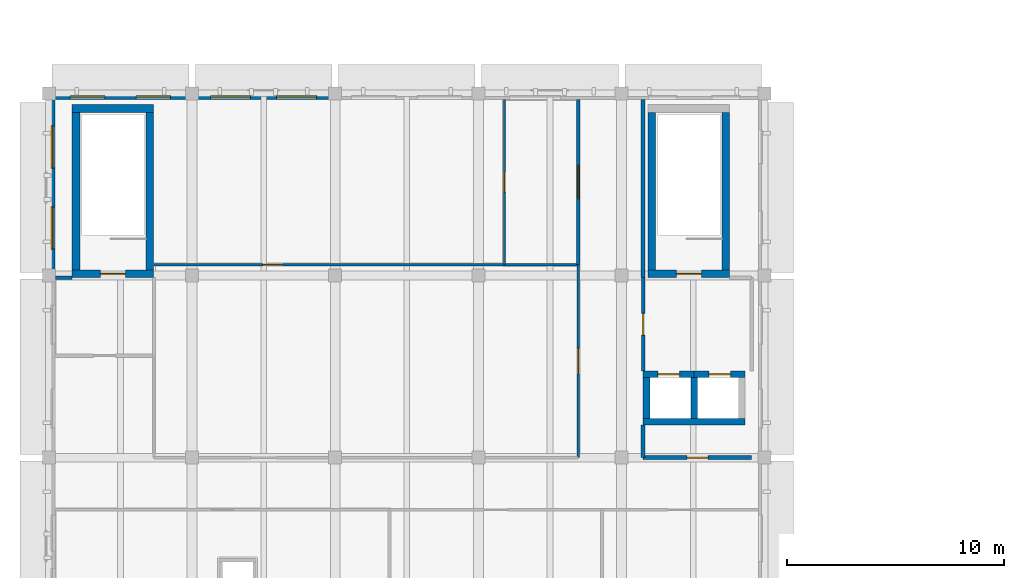
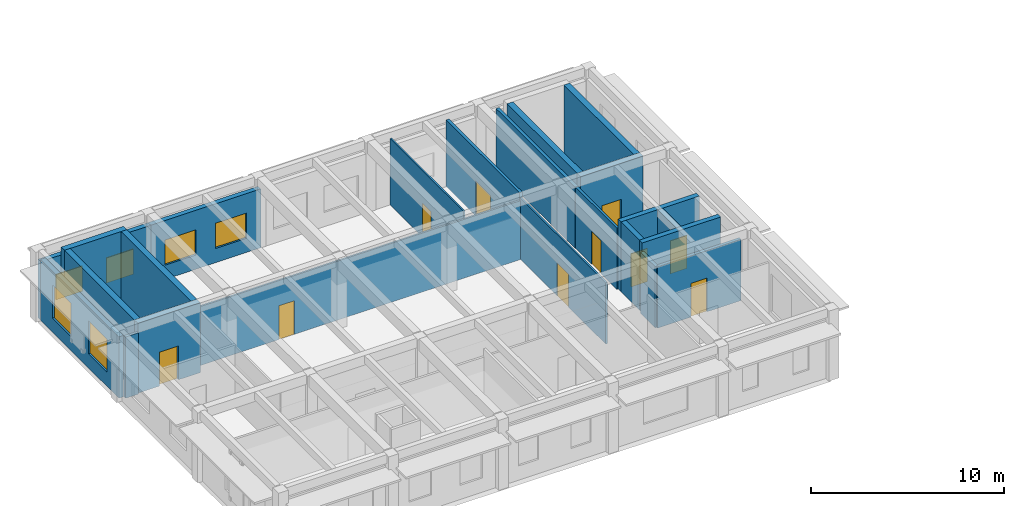
# One storey, part 7 of 20: 24 walls, 10 doors, 6 windows, 16 openings.
"""IFC4 building model written with IfcOpenShell, lengths in metres."""

from ifc_helpers import new_model, si_unit, direction, frame, frame_2d, origin, place, context, subcontext, project, spatial, rectangle, extrude, material, layer, layer_set, type_object, element, fill, save


model = new_model("IFC4")

# Units and contexts
model_context = context("Model", 3, precision=1e-05, world=origin(), true_north=direction((0.0, 1.0)))
body_context = subcontext(model_context, "Body", "Model", "MODEL_VIEW")
ifc_project = project(units=[si_unit("LENGTHUNIT", "METRE"), si_unit("AREAUNIT", "SQUARE_METRE"), si_unit("VOLUMEUNIT", "CUBIC_METRE"), si_unit("PLANEANGLEUNIT", "RADIAN"), si_unit("MASSUNIT", "GRAM", prefix="KILO")], contexts=[model_context])

# Site, building, storey
site_placement = place(None, origin())
site = spatial("IfcSite", under=ifc_project, at=site_placement, CompositionType="ELEMENT")
building_placement = place(site_placement, origin())
building = spatial("IfcBuilding", under=site, at=building_placement, Name="Kolvaren Faculty of Natural Sciences", CompositionType="ELEMENT")
storey_placement = place(building_placement, frame((0.0, 0.0, 24.0)))
storey = spatial("IfcBuildingStorey", under=building, at=storey_placement, Name="L05", CompositionType="ELEMENT", Elevation=24.0)

# Wall, opening, door
ifc_material_1 = material(Name="Concrete C40/50", Category="concrete")
ifc_layer_1 = layer(ifc_material_1, 0.35009765625)
ifc_layer_set_1 = layer_set([ifc_layer_1], Name="Concrete C40/50")
wall_type_1 = type_object("IfcWallType", Name="CoreShearWall_350", PredefinedType="SHEAR", material=ifc_layer_set_1)
wall_1_placement = place(storey_placement, frame((34.425048828125, 33.875, 0.0), z_axis=(0.0, 0.0, 1.0), x_axis=(1.0, 0.0, 0.0)))
wall_1 = element("IfcWall", 1, at=wall_1_placement, inside=storey, type_object=wall_type_1, Name="L05 CORE-C4 stair shear wall S", PredefinedType="SHEAR", context=body_context, shape_type="SweptSolid", body=[
    extrude(rectangle(XDim=3.75, YDim=0.35009765625, at=frame_2d((1.875, 0.0))), origin(), (0.0, 0.0, 1.0), 4.43994140625),
])
opening_1_placement = place(wall_1_placement, frame((1.300048828125, 0.0, 0.0)))
opening_1 = element("IfcOpeningElement", 2, at=opening_1_placement, cuts=wall_1, Name="Opening FD90", PredefinedType="OPENING", context=body_context, shape_type="SweptSolid", body=[
    extrude(rectangle(XDim=1.14990234375, YDim=2.14990234375, at=frame_2d((0.574951171875, 1.074951171875))), frame((0.0, 0.18505859375, 0.0), z_axis=(0.0, -1.0, 0.0), x_axis=(1.0, 0.0, 0.0)), (0.0, 0.0, 1.0), 0.3701171875),
])
ifc_material_2 = material(Name="Fire-rated solid-core hardwood door leaf in steel frame", Category="steel")
door_type_1 = type_object("IfcDoorType", Name="StairCoreFireDoor_1150x2150", OperationType="NOTDEFINED", PredefinedType="DOOR", material=ifc_material_2)
door_1_placement = place(opening_1_placement, origin())
door_1 = element("IfcDoor", 3, at=door_1_placement, inside=storey, type_object=door_type_1, Name="D-ST-ST-4-L05", OperationType="SINGLE_SWING_LEFT", OverallHeight=2.14990234375, OverallWidth=1.14990234375, PredefinedType="DOOR", context=body_context, shape_type="SweptSolid", body=[
    extrude(rectangle(XDim=1.14990234375, YDim=2.14990234375, at=frame_2d((0.574951171875, 1.074951171875))), frame((0.0, 0.02490234375, 0.0), z_axis=(0.0, -1.0, 0.0), x_axis=(1.0, 0.0, 0.0)), (0.0, 0.0, 1.0), 0.050048828125),
])
fill(opening_1, door_1)

# Walls
for number, where, z_axis, x_axis, name in (
    (4, (34.60009765625, 34.050048828125, 0.0), (0.0, 0.0, 1.0), (0.0, 1.0, 0.0), "L05 CORE-C4 stair shear wall W"),
    (5, (38.0, 34.050048828125, 0.0), (0.0, 0.0, 1.0), (0.0, 1.0, 0.0), "L05 CORE-C4 stair shear wall E"),
):
    element("IfcWall", number, at=place(storey_placement, frame(where, z_axis=z_axis, x_axis=x_axis)), inside=storey, type_object=wall_type_1, Name=name, PredefinedType="SHEAR", context=body_context, shape_type="SweptSolid", body=[
        extrude(rectangle(XDim=7.27490234375, YDim=0.35009765625, at=frame_2d((3.637451171875, 0.0))), origin(), (0.0, 0.0, 1.0), 4.43994140625),
    ])

# Wall, opening, door
wall_2_placement = place(storey_placement, frame((7.875, 33.875, 0.0), z_axis=(0.0, 0.0, 1.0), x_axis=(1.0, 0.0, 0.0)))
wall_2 = element("IfcWall", 6, at=wall_2_placement, inside=storey, type_object=wall_type_1, Name="L05 CORE-C8 stair shear wall S", PredefinedType="SHEAR", context=body_context, shape_type="SweptSolid", body=[
    extrude(rectangle(XDim=3.75, YDim=0.35009765625, at=frame_2d((1.875, 0.0))), origin(), (0.0, 0.0, 1.0), 4.43994140625),
])
opening_2_placement = place(wall_2_placement, frame((1.300048828125, 0.0, 0.0)))
opening_2 = element("IfcOpeningElement", 7, at=opening_2_placement, cuts=wall_2, Name="Opening FD90", PredefinedType="OPENING", context=body_context, shape_type="SweptSolid", body=[
    extrude(rectangle(XDim=1.14990234375, YDim=2.14990234375, at=frame_2d((0.574951171875, 1.074951171875))), frame((0.0, 0.18505859375, 0.0), z_axis=(0.0, -1.0, 0.0), x_axis=(1.0, 0.0, 0.0)), (0.0, 0.0, 1.0), 0.3701171875),
])
door_2_placement = place(opening_2_placement, origin())
door_2 = element("IfcDoor", 8, at=door_2_placement, inside=storey, type_object=door_type_1, Name="D-ST-ST-8-L05", OperationType="SINGLE_SWING_RIGHT", OverallHeight=2.14990234375, OverallWidth=1.14990234375, PredefinedType="DOOR", context=body_context, shape_type="SweptSolid", body=[
    extrude(rectangle(XDim=1.14990234375, YDim=2.14990234375, at=frame_2d((0.574951171875, 1.074951171875))), frame((0.0, 0.02490234375, 0.0), z_axis=(0.0, -1.0, 0.0), x_axis=(1.0, 0.0, 0.0)), (0.0, 0.0, 1.0), 0.050048828125),
])
fill(opening_2, door_2)

# Walls
wall_3_placement = place(storey_placement, frame((7.875, 41.5, 0.0), z_axis=(0.0, 0.0, 1.0), x_axis=(1.0, 0.0, 0.0)))
element("IfcWall", 9, at=wall_3_placement, inside=storey, type_object=wall_type_1, Name="L05 CORE-C8 stair shear wall N", PredefinedType="SHEAR", context=body_context, shape_type="SweptSolid", body=[
    extrude(rectangle(XDim=3.75, YDim=0.35009765625, at=frame_2d((1.875, 0.0))), origin(), (0.0, 0.0, 1.0), 4.43994140625),
])
for number, where, z_axis, x_axis, name in (
    (10, (8.050048828125, 34.050048828125, 0.0), (0.0, 0.0, 1.0), (0.0, 1.0, 0.0), "L05 CORE-C8 stair shear wall W"),
    (11, (11.449951171875, 34.050048828125, 0.0), (0.0, 0.0, 1.0), (0.0, 1.0, 0.0), "L05 CORE-C8 stair shear wall E"),
):
    element("IfcWall", number, at=place(storey_placement, frame(where, z_axis=z_axis, x_axis=x_axis)), inside=storey, type_object=wall_type_1, Name=name, PredefinedType="SHEAR", context=body_context, shape_type="SweptSolid", body=[
        extrude(rectangle(XDim=7.27490234375, YDim=0.35009765625, at=frame_2d((3.637451171875, 0.0))), origin(), (0.0, 0.0, 1.0), 4.43994140625),
    ])

# Wall, opening, door
ifc_material_3 = material(Name="Acoustic mineral-wool insulated gypsum partition")
ifc_layer_2 = layer(ifc_material_3, 0.094970703125)
ifc_layer_set_2 = layer_set([ifc_layer_2], Name="Acoustic mineral-wool insulated gypsum partition")
wall_type_2 = type_object("IfcWallType", Name="CubiclePartition_095", PredefinedType="PARTITIONING", material=ifc_layer_set_2)
wall_4_placement = place(storey_placement, frame((27.800048828125, 41.91796875, 0.0), z_axis=(0.0, 0.0, 1.0), x_axis=(0.0, -1.0, 0.0)))
wall_4 = element("IfcWall", 12, at=wall_4_placement, inside=storey, type_object=wall_type_2, Name="L05 interior partition PW-095", PredefinedType="PARTITIONING", context=body_context, shape_type="SweptSolid", body=[
    extrude(rectangle(XDim=7.617919921875, YDim=0.094970703125, at=frame_2d((3.80908203125, 0.0))), origin(), (0.0, 0.0, 1.0), 4.215087890625),
])
opening_3_placement = place(wall_4_placement, frame((3.34912109375, 0.0, 0.0)))
opening_3 = element("IfcOpeningElement", 13, at=opening_3_placement, cuts=wall_4, Name="Opening ID-19", PredefinedType="OPENING", context=body_context, shape_type="SweptSolid", body=[
    extrude(rectangle(XDim=0.919921875, YDim=2.139892578125, at=frame_2d((0.4599609375, 1.06982421875))), frame((0.0, 0.057373046875, 0.0), z_axis=(0.0, -1.0, 0.0), x_axis=(1.0, 0.0, 0.0)), (0.0, 0.0, 1.0), 0.114990234375),
])
ifc_material_4 = material(Name="Solid-core hardwood veneer door leaf in steel frame", Category="steel")
door_type_2 = type_object("IfcDoorType", Name="InteriorRoomDoor_920x2140", OperationType="NOTDEFINED", PredefinedType="DOOR", material=ifc_material_4)
door_3_placement = place(opening_3_placement, origin())
door_3 = element("IfcDoor", 14, at=door_3_placement, inside=storey, type_object=door_type_2, Name="D-L05-0312", OperationType="SINGLE_SWING_LEFT", OverallHeight=2.139892578125, OverallWidth=0.919921875, PredefinedType="DOOR", context=body_context, shape_type="SweptSolid", body=[
    extrude(rectangle(XDim=0.919921875, YDim=2.139892578125, at=frame_2d((0.4599609375, 1.06982421875))), frame((0.0, 0.02490234375, 0.0), z_axis=(0.0, -1.0, 0.0), x_axis=(1.0, 0.0, 0.0)), (0.0, 0.0, 1.0), 0.050048828125),
])
fill(opening_3, door_3)

# Wall, openings, windows
ifc_material_5 = material(Name="Precast concrete C35/45", Category="concrete")
ifc_layer_3 = layer(ifc_material_5, 0.280029296875)
ifc_layer_set_3 = layer_set([ifc_layer_3], Name="Precast concrete C35/45")
wall_type_3 = type_object("IfcWallType", Name="ExteriorPrecastWall_280", PredefinedType="STANDARD", material=ifc_layer_set_3)
wall_5_placement = place(storey_placement, frame((6.800048828125, 42.06005859375, 0.0), z_axis=(0.0, 0.0, 1.0), x_axis=(1.0, 0.0, 0.0)))
wall_5 = element("IfcWall", 15, at=wall_5_placement, inside=storey, type_object=wall_type_3, Name="L05 exterior masonry wall EW-280 (664)", PredefinedType="STANDARD", context=body_context, shape_type="SweptSolid", body=[
    extrude(rectangle(XDim=6.599853515625, YDim=0.280029296875, at=frame_2d((3.2998046875, 0.0))), origin(), (0.0, 0.0, 1.0), 3.735107421875),
])
opening_4_placement = place(wall_5_placement, frame((0.98193359375, 0.0, 0.89990234375)))
opening_4 = element("IfcOpeningElement", 16, at=opening_4_placement, cuts=wall_5, Name="Opening WIN-15", PredefinedType="OPENING", context=body_context, shape_type="SweptSolid", body=[
    extrude(rectangle(XDim=1.60009765625, YDim=1.60009765625, at=frame_2d((0.800048828125, 0.800048828125))), frame((0.0, 0.14990234375, 0.0), z_axis=(0.0, -1.0, 0.0), x_axis=(1.0, 0.0, 0.0)), (0.0, 0.0, 1.0), 0.300048828125),
])
opening_5_placement = place(wall_5_placement, frame((4.01806640625, 0.0, 0.89990234375)))
opening_5 = element("IfcOpeningElement", 17, at=opening_5_placement, cuts=wall_5, Name="Opening WIN-15", PredefinedType="OPENING", context=body_context, shape_type="SweptSolid", body=[
    extrude(rectangle(XDim=1.60009765625, YDim=1.60009765625, at=frame_2d((0.800048828125, 0.800048828125))), frame((0.0, 0.14990234375, 0.0), z_axis=(0.0, -1.0, 0.0), x_axis=(1.0, 0.0, 0.0)), (0.0, 0.0, 1.0), 0.300048828125),
])
ifc_material_6 = material(Name="Double low-E solar control insulated glazing", Category="glass")
window_type_1 = type_object("IfcWindowType", Name="AluWindow_WIN15_1600x1600", PartitioningType="SINGLE_PANEL", PredefinedType="WINDOW", material=ifc_material_6)
window_1_placement = place(opening_4_placement, origin())
window_1 = element("IfcWindow", 18, at=window_1_placement, inside=storey, type_object=window_type_1, Name="WIN-L05-0479", OverallHeight=1.60009765625, OverallWidth=1.60009765625, PartitioningType="SINGLE_PANEL", PredefinedType="WINDOW", context=body_context, shape_type="SweptSolid", body=[
    extrude(rectangle(XDim=1.60009765625, YDim=1.60009765625, at=frame_2d((0.800048828125, 0.800048828125))), frame((0.0, 0.030029296875, 0.0), z_axis=(0.0, -1.0, 0.0), x_axis=(1.0, 0.0, 0.0)), (0.0, 0.0, 1.0), 0.06005859375),
])
fill(opening_4, window_1)
window_2_placement = place(opening_5_placement, origin())
window_2 = element("IfcWindow", 19, at=window_2_placement, inside=storey, type_object=window_type_1, Name="WIN-L05-0480", OverallHeight=1.60009765625, OverallWidth=1.60009765625, PartitioningType="SINGLE_PANEL", PredefinedType="WINDOW", context=body_context, shape_type="SweptSolid", body=[
    extrude(rectangle(XDim=1.60009765625, YDim=1.60009765625, at=frame_2d((0.800048828125, 0.800048828125))), frame((0.0, 0.030029296875, 0.0), z_axis=(0.0, -1.0, 0.0), x_axis=(1.0, 0.0, 0.0)), (0.0, 0.0, 1.0), 0.06005859375),
])
fill(opening_5, window_2)

wall_6_placement = place(storey_placement, frame((13.39990234375, 42.06005859375, 0.0), z_axis=(0.0, 0.0, 1.0), x_axis=(1.0, 0.0, 0.0)))
wall_6 = element("IfcWall", 20, at=wall_6_placement, inside=storey, type_object=wall_type_3, Name="L05 exterior masonry wall EW-280 (665)", PredefinedType="STANDARD", context=body_context, shape_type="SweptSolid", body=[
    extrude(rectangle(XDim=6.60009765625, YDim=0.280029296875, at=frame_2d((3.300048828125, 0.0))), origin(), (0.0, 0.0, 1.0), 3.735107421875),
])
opening_6_placement = place(wall_6_placement, frame((0.85693359375, 0.0, 0.89990234375)))
opening_6 = element("IfcOpeningElement", 21, at=opening_6_placement, cuts=wall_6, Name="Opening WIN-16", PredefinedType="OPENING", context=body_context, shape_type="SweptSolid", body=[
    extrude(rectangle(XDim=1.85009765625, YDim=1.60009765625, at=frame_2d((0.925048828125, 0.800048828125))), frame((0.0, 0.14990234375, 0.0), z_axis=(0.0, -1.0, 0.0), x_axis=(1.0, 0.0, 0.0)), (0.0, 0.0, 1.0), 0.300048828125),
])
opening_7_placement = place(wall_6_placement, frame((3.89306640625, 0.0, 0.89990234375)))
opening_7 = element("IfcOpeningElement", 22, at=opening_7_placement, cuts=wall_6, Name="Opening WIN-16", PredefinedType="OPENING", context=body_context, shape_type="SweptSolid", body=[
    extrude(rectangle(XDim=1.85009765625, YDim=1.60009765625, at=frame_2d((0.925048828125, 0.800048828125))), frame((0.0, 0.14990234375, 0.0), z_axis=(0.0, -1.0, 0.0), x_axis=(1.0, 0.0, 0.0)), (0.0, 0.0, 1.0), 0.300048828125),
])
window_type_2 = type_object("IfcWindowType", Name="AluWindow_WIN16_1850x1600", PartitioningType="SINGLE_PANEL", PredefinedType="WINDOW", material=ifc_material_6)
window_3_placement = place(opening_6_placement, origin())
window_3 = element("IfcWindow", 23, at=window_3_placement, inside=storey, type_object=window_type_2, Name="WIN-L05-0481", OverallHeight=1.60009765625, OverallWidth=1.85009765625, PartitioningType="SINGLE_PANEL", PredefinedType="WINDOW", context=body_context, shape_type="SweptSolid", body=[
    extrude(rectangle(XDim=1.85009765625, YDim=1.60009765625, at=frame_2d((0.925048828125, 0.800048828125))), frame((0.0, 0.030029296875, 0.0), z_axis=(0.0, -1.0, 0.0), x_axis=(1.0, 0.0, 0.0)), (0.0, 0.0, 1.0), 0.06005859375),
])
fill(opening_6, window_3)
window_4_placement = place(opening_7_placement, origin())
window_4 = element("IfcWindow", 24, at=window_4_placement, inside=storey, type_object=window_type_2, Name="WIN-L05-0482", OverallHeight=1.60009765625, OverallWidth=1.85009765625, PartitioningType="SINGLE_PANEL", PredefinedType="WINDOW", context=body_context, shape_type="SweptSolid", body=[
    extrude(rectangle(XDim=1.85009765625, YDim=1.60009765625, at=frame_2d((0.925048828125, 0.800048828125))), frame((0.0, 0.030029296875, 0.0), z_axis=(0.0, -1.0, 0.0), x_axis=(1.0, 0.0, 0.0)), (0.0, 0.0, 1.0), 0.06005859375),
])
fill(opening_7, window_4)

wall_7_placement = place(storey_placement, frame((6.93994140625, 33.800048828125, 0.0), z_axis=(0.0, 0.0, 1.0), x_axis=(0.0, 1.0, 0.0)))
wall_7 = element("IfcWall", 25, at=wall_7_placement, inside=storey, type_object=wall_type_3, Name="L05 exterior masonry wall EW-280 (679)", PredefinedType="STANDARD", context=body_context, shape_type="SweptSolid", body=[
    extrude(rectangle(XDim=8.119873046875, YDim=0.280029296875, at=frame_2d((4.06005859375, 0.0))), origin(), (0.0, 0.0, 1.0), 3.885009765625),
])
opening_8_placement = place(wall_7_placement, frame((1.21728515625, 0.0, 0.89990234375)))
opening_8 = element("IfcOpeningElement", 26, at=opening_8_placement, cuts=wall_7, Name="Opening WIN-06", PredefinedType="OPENING", context=body_context, shape_type="SweptSolid", body=[
    extrude(rectangle(XDim=1.949951171875, YDim=2.10009765625, at=frame_2d((0.97509765625, 1.050048828125))), frame((0.0, 0.14990234375, 0.0), z_axis=(0.0, -1.0, 0.0), x_axis=(1.0, 0.0, 0.0)), (0.0, 0.0, 1.0), 0.300048828125),
])
opening_9_placement = place(wall_7_placement, frame((4.95263671875, 0.0, 0.89990234375)))
opening_9 = element("IfcOpeningElement", 27, at=opening_9_placement, cuts=wall_7, Name="Opening WIN-06", PredefinedType="OPENING", context=body_context, shape_type="SweptSolid", body=[
    extrude(rectangle(XDim=1.949951171875, YDim=2.10009765625, at=frame_2d((0.97509765625, 1.050048828125))), frame((0.0, 0.14990234375, 0.0), z_axis=(0.0, -1.0, 0.0), x_axis=(1.0, 0.0, 0.0)), (0.0, 0.0, 1.0), 0.300048828125),
])
window_type_3 = type_object("IfcWindowType", Name="AluWindow_WIN06_1950x2100", PartitioningType="SINGLE_PANEL", PredefinedType="WINDOW", material=ifc_material_6)
window_5_placement = place(opening_8_placement, origin())
window_5 = element("IfcWindow", 28, at=window_5_placement, inside=storey, type_object=window_type_3, Name="WIN-L05-0506", OverallHeight=2.10009765625, OverallWidth=1.949951171875, PartitioningType="SINGLE_PANEL", PredefinedType="WINDOW", context=body_context, shape_type="SweptSolid", body=[
    extrude(rectangle(XDim=1.949951171875, YDim=2.10009765625, at=frame_2d((0.97509765625, 1.050048828125))), frame((0.0, 0.030029296875, 0.0), z_axis=(0.0, -1.0, 0.0), x_axis=(1.0, 0.0, 0.0)), (0.0, 0.0, 1.0), 0.06005859375),
])
fill(opening_8, window_5)
window_6_placement = place(opening_9_placement, origin())
window_6 = element("IfcWindow", 29, at=window_6_placement, inside=storey, type_object=window_type_3, Name="WIN-L05-0507", OverallHeight=2.10009765625, OverallWidth=1.949951171875, PartitioningType="SINGLE_PANEL", PredefinedType="WINDOW", context=body_context, shape_type="SweptSolid", body=[
    extrude(rectangle(XDim=1.949951171875, YDim=2.10009765625, at=frame_2d((0.97509765625, 1.050048828125))), frame((0.0, 0.030029296875, 0.0), z_axis=(0.0, -1.0, 0.0), x_axis=(1.0, 0.0, 0.0)), (0.0, 0.0, 1.0), 0.06005859375),
])
fill(opening_9, window_6)

# Walls
ifc_layer_4 = layer(ifc_material_3, 0.18505859375)
ifc_layer_set_4 = layer_set([ifc_layer_4], Name="Acoustic mineral-wool insulated gypsum partition")
wall_type_4 = type_object("IfcWallType", Name="LabPartitionWall_185", PredefinedType="PARTITIONING", material=ifc_layer_set_4)
wall_8_placement = place(storey_placement, frame((34.199951171875, 25.39990234375, 0.0), z_axis=(0.0, 0.0, 1.0), x_axis=(0.0, 1.0, 0.0)))
element("IfcWall", 30, at=wall_8_placement, inside=storey, type_object=wall_type_4, Name="L05 interior partition PW-185", PredefinedType="PARTITIONING", context=body_context, shape_type="SweptSolid", body=[
    extrude(rectangle(XDim=1.498046875, YDim=0.18505859375, at=frame_2d((0.7490234375, 0.0))), origin(), (0.0, 0.0, 1.0), 3.885009765625),
])
wall_9_placement = place(storey_placement, frame((34.199951171875, 33.699951171875, 0.0), z_axis=(0.0, 0.0, 1.0), x_axis=(0.0, 1.0, 0.0)))
element("IfcWall", 31, at=wall_9_placement, inside=storey, type_object=wall_type_4, Name="L05 interior partition PW-185", PredefinedType="PARTITIONING", context=body_context, shape_type="SweptSolid", body=[
    extrude(rectangle(XDim=8.218017578125, YDim=0.18505859375, at=frame_2d((4.10888671875, 0.0))), origin(), (0.0, 0.0, 1.0), 3.885009765625),
])

# Wall, opening, door
wall_10_placement = place(storey_placement, frame((39.199951171875, 25.39990234375, 0.0), z_axis=(0.0, 0.0, 1.0), x_axis=(-1.0, 0.0, 0.0)))
wall_10 = element("IfcWall", 32, at=wall_10_placement, inside=storey, type_object=wall_type_4, Name="L05 interior partition PW-185", PredefinedType="PARTITIONING", context=body_context, shape_type="SweptSolid", body=[
    extrude(rectangle(XDim=5.0, YDim=0.18505859375, at=frame_2d((2.5, 0.0))), origin(), (0.0, 0.0, 1.0), 3.885009765625),
])
opening_10_placement = place(wall_10_placement, frame((2.02001953125, 0.0, 0.0)))
opening_10 = element("IfcOpeningElement", 33, at=opening_10_placement, cuts=wall_10, Name="Opening ID-20", PredefinedType="OPENING", context=body_context, shape_type="SweptSolid", body=[
    extrude(rectangle(XDim=0.9599609375, YDim=2.139892578125, at=frame_2d((0.47998046875, 1.06982421875))), frame((0.0, 0.1025390625, 0.0), z_axis=(0.0, -1.0, 0.0), x_axis=(1.0, 0.0, 0.0)), (0.0, 0.0, 1.0), 0.205078125),
])
door_type_3 = type_object("IfcDoorType", Name="InteriorRoomDoor_960x2140", OperationType="NOTDEFINED", PredefinedType="DOOR", material=ifc_material_4)
door_4_placement = place(opening_10_placement, origin())
door_4 = element("IfcDoor", 34, at=door_4_placement, inside=storey, type_object=door_type_3, Name="D-L05-0314", OperationType="SINGLE_SWING_LEFT", OverallHeight=2.139892578125, OverallWidth=0.9599609375, PredefinedType="DOOR", context=body_context, shape_type="SweptSolid", body=[
    extrude(rectangle(XDim=0.9599609375, YDim=2.139892578125, at=frame_2d((0.47998046875, 1.06982421875))), frame((0.0, 0.02490234375, 0.0), z_axis=(0.0, -1.0, 0.0), x_axis=(1.0, 0.0, 0.0)), (0.0, 0.0, 1.0), 0.050048828125),
])
fill(opening_10, door_4)

ifc_material_7 = material(Name="Double fire-rated gypsum board on 100 mm steel stud", Category="steel")
ifc_layer_5 = layer(ifc_material_7, 0.14990234375)
ifc_layer_set_5 = layer_set([ifc_layer_5], Name="Double fire-rated gypsum board on 100 mm steel stud")
wall_type_5 = type_object("IfcWallType", Name="RatedCorridorWall_150", PredefinedType="PARTITIONING", material=ifc_layer_set_5)
wall_11_placement = place(storey_placement, frame((34.199951171875, 29.402099609375, 0.0), z_axis=(0.0, 0.0, 1.0), x_axis=(0.0, 1.0, 0.0)))
wall_11 = element("IfcWall", 35, at=wall_11_placement, inside=storey, type_object=wall_type_5, Name="L05 interior partition LW-150", PredefinedType="PARTITIONING", context=body_context, shape_type="SweptSolid", body=[
    extrude(rectangle(XDim=4.2978515625, YDim=0.14990234375, at=frame_2d((2.14892578125, 0.0))), origin(), (0.0, 0.0, 1.0), 3.885009765625),
])
opening_11_placement = place(wall_11_placement, frame((1.64892578125, 0.0, 0.0)))
opening_11 = element("IfcOpeningElement", 36, at=opening_11_placement, cuts=wall_11, Name="Opening FD30", PredefinedType="OPENING", context=body_context, shape_type="SweptSolid", body=[
    extrude(rectangle(XDim=1.0, YDim=2.10009765625, at=frame_2d((0.5, 1.050048828125))), frame((0.0, 0.0849609375, 0.0), z_axis=(0.0, -1.0, 0.0), x_axis=(1.0, 0.0, 0.0)), (0.0, 0.0, 1.0), 0.169921875),
])
door_type_4 = type_object("IfcDoorType", Name="CorridorFireDoor_1000x2100", OperationType="NOTDEFINED", PredefinedType="DOOR", material=ifc_material_2)
door_5_placement = place(opening_11_placement, origin())
door_5 = element("IfcDoor", 37, at=door_5_placement, inside=storey, type_object=door_type_4, Name="D-L05-0302", OperationType="SINGLE_SWING_LEFT", OverallHeight=2.10009765625, OverallWidth=1.0, PredefinedType="DOOR", context=body_context, shape_type="SweptSolid", body=[
    extrude(rectangle(XDim=1.0, YDim=2.10009765625, at=frame_2d((0.5, 1.050048828125))), frame((0.0, 0.02490234375, 0.0), z_axis=(0.0, -1.0, 0.0), x_axis=(1.0, 0.0, 0.0)), (0.0, 0.0, 1.0), 0.050048828125),
])
fill(opening_11, door_5)

# Wall
wall_12_placement = place(storey_placement, frame((7.10009765625, 33.699951171875, 0.0), z_axis=(0.0, 0.0, 1.0), x_axis=(1.0, 0.0, 0.0)))
element("IfcWall", 38, at=wall_12_placement, inside=storey, type_object=wall_type_5, Name="L05 interior partition LW-150", PredefinedType="PARTITIONING", context=body_context, shape_type="SweptSolid", body=[
    extrude(rectangle(XDim=0.77490234375, YDim=0.14990234375, at=frame_2d((0.387451171875, 0.0))), origin(), (0.0, 0.0, 1.0), 3.885009765625),
])

# Wall, opening, door
ifc_layer_6 = layer(ifc_material_3, 0.169921875)
ifc_layer_set_6 = layer_set([ifc_layer_6], Name="Acoustic mineral-wool insulated gypsum partition")
wall_type_6 = type_object("IfcWallType", Name="SeminarPartitionWall_170", PredefinedType="PARTITIONING", material=ifc_layer_set_6)
wall_13_placement = place(storey_placement, frame((31.199951171875, 41.91796875, 0.0), z_axis=(0.0, 0.0, 1.0), x_axis=(0.0, -1.0, 0.0)))
wall_13 = element("IfcWall", 39, at=wall_13_placement, inside=storey, type_object=wall_type_6, Name="L05 interior partition PW-170", PredefinedType="PARTITIONING", context=body_context, shape_type="SweptSolid", body=[
    extrude(rectangle(XDim=7.617919921875, YDim=0.169921875, at=frame_2d((3.80908203125, 0.0))), origin(), (0.0, 0.0, 1.0), 4.215087890625),
])
opening_12_placement = place(wall_13_placement, frame((3.0390625, 0.0, 0.0)))
opening_12 = element("IfcOpeningElement", 40, at=opening_12_placement, cuts=wall_13, Name="Opening ID-33", PredefinedType="OPENING", context=body_context, shape_type="SweptSolid", body=[
    extrude(rectangle(XDim=1.5400390625, YDim=2.199951171875, at=frame_2d((0.77001953125, 1.10009765625))), frame((0.0, 0.094970703125, 0.0), z_axis=(0.0, -1.0, 0.0), x_axis=(1.0, 0.0, 0.0)), (0.0, 0.0, 1.0), 0.18994140625),
])
ifc_material_8 = material(Name="Thermally broken anodised aluminium glazed door", Category="aluminium")
door_type_5 = type_object("IfcDoorType", Name="InteriorRoomDoor_1540x2200", OperationType="DOUBLE_DOOR_SINGLE_SWING", PredefinedType="DOOR", material=ifc_material_8)
door_6_placement = place(opening_12_placement, origin())
door_6 = element("IfcDoor", 41, at=door_6_placement, inside=storey, type_object=door_type_5, Name="D-L05-0328", OperationType="DOUBLE_DOOR_SINGLE_SWING", OverallHeight=2.199951171875, OverallWidth=1.5400390625, PredefinedType="DOOR", context=body_context, shape_type="SweptSolid", body=[
    extrude(rectangle(XDim=1.5400390625, YDim=2.199951171875, at=frame_2d((0.77001953125, 1.10009765625))), frame((0.0, 0.02490234375, 0.0), z_axis=(0.0, -1.0, 0.0), x_axis=(1.0, 0.0, 0.0)), (0.0, 0.0, 1.0), 0.050048828125),
])
fill(opening_12, door_6)

# Wall
ifc_layer_7 = layer(ifc_material_1, 0.300048828125)
ifc_layer_set_7 = layer_set([ifc_layer_7], Name="Concrete C40/50")
wall_type_7 = type_object("IfcWallType", Name="ShaftShearWall_300", PredefinedType="SHEAR", material=ifc_layer_set_7)
wall_14_placement = place(storey_placement, frame((34.199951171875, 27.050048828125, 0.0), z_axis=(0.0, 0.0, 1.0), x_axis=(1.0, 0.0, 0.0)))
element("IfcWall", 42, at=wall_14_placement, inside=storey, type_object=wall_type_7, Name="L05 twin lift shaft wall S", PredefinedType="SHEAR", context=body_context, shape_type="SweptSolid", body=[
    extrude(rectangle(XDim=4.699951171875, YDim=0.300048828125, at=frame_2d((2.35009765625, 0.0))), origin(), (0.0, 0.0, 1.0), 4.43994140625),
])

# Wall, opening, door
wall_15_placement = place(storey_placement, frame((34.199951171875, 29.25, 0.0), z_axis=(0.0, 0.0, 1.0), x_axis=(1.0, 0.0, 0.0)))
wall_15 = element("IfcWall", 43, at=wall_15_placement, inside=storey, type_object=wall_type_7, Name="L05 lift PL-2 shaft wall N", PredefinedType="SHEAR", context=body_context, shape_type="SweptSolid", body=[
    extrude(rectangle(XDim=2.35009765625, YDim=0.300048828125, at=frame_2d((1.175048828125, 0.0))), origin(), (0.0, 0.0, 1.0), 4.43994140625),
])
opening_13_placement = place(wall_15_placement, frame((0.675048828125, 0.0, 0.0)))
opening_13 = element("IfcOpeningElement", 44, at=opening_13_placement, cuts=wall_15, Name="Opening LD-02", PredefinedType="OPENING", context=body_context, shape_type="SweptSolid", body=[
    extrude(rectangle(XDim=1.0, YDim=2.10009765625, at=frame_2d((0.5, 1.050048828125))), frame((0.0, 0.159912109375, 0.0), z_axis=(0.0, -1.0, 0.0), x_axis=(1.0, 0.0, 0.0)), (0.0, 0.0, 1.0), 0.320068359375),
])
ifc_material_9 = material(Name="Brushed stainless steel lift car and sliding door assembly", Category="steel")
door_type_6 = type_object("IfcDoorType", Name="LiftLandingSliding_1000x2100", OperationType="SLIDING_TO_LEFT", PredefinedType="DOOR", material=ifc_material_9)
door_7_placement = place(opening_13_placement, origin())
door_7 = element("IfcDoor", 45, at=door_7_placement, inside=storey, type_object=door_type_6, Name="D-LIFT-PL-2-L05", OperationType="SLIDING_TO_LEFT", OverallHeight=2.10009765625, OverallWidth=1.0, PredefinedType="DOOR", context=body_context, shape_type="SweptSolid", body=[
    extrude(rectangle(XDim=1.0, YDim=2.10009765625, at=frame_2d((0.5, 1.050048828125))), frame((0.0, 0.02490234375, 0.0), z_axis=(0.0, -1.0, 0.0), x_axis=(1.0, 0.0, 0.0)), (0.0, 0.0, 1.0), 0.050048828125),
])
fill(opening_13, door_7)

wall_16_placement = place(storey_placement, frame((36.550048828125, 29.25, 0.0), z_axis=(0.0, 0.0, 1.0), x_axis=(1.0, 0.0, 0.0)))
wall_16 = element("IfcWall", 46, at=wall_16_placement, inside=storey, type_object=wall_type_7, Name="L05 lift PL-4 shaft wall N", PredefinedType="SHEAR", context=body_context, shape_type="SweptSolid", body=[
    extrude(rectangle(XDim=2.349853515625, YDim=0.300048828125, at=frame_2d((1.1748046875, 0.0))), origin(), (0.0, 0.0, 1.0), 4.43994140625),
])
opening_14_placement = place(wall_16_placement, frame((0.675048828125, 0.0, 0.0)))
opening_14 = element("IfcOpeningElement", 47, at=opening_14_placement, cuts=wall_16, Name="Opening LD-02", PredefinedType="OPENING", context=body_context, shape_type="SweptSolid", body=[
    extrude(rectangle(XDim=1.0, YDim=2.10009765625, at=frame_2d((0.5, 1.050048828125))), frame((0.0, 0.159912109375, 0.0), z_axis=(0.0, -1.0, 0.0), x_axis=(1.0, 0.0, 0.0)), (0.0, 0.0, 1.0), 0.320068359375),
])
door_8_placement = place(opening_14_placement, origin())
door_8 = element("IfcDoor", 48, at=door_8_placement, inside=storey, type_object=door_type_6, Name="D-LIFT-PL-4-L05", OperationType="SLIDING_TO_LEFT", OverallHeight=2.10009765625, OverallWidth=1.0, PredefinedType="DOOR", context=body_context, shape_type="SweptSolid", body=[
    extrude(rectangle(XDim=1.0, YDim=2.10009765625, at=frame_2d((0.5, 1.050048828125))), frame((0.0, 0.02490234375, 0.0), z_axis=(0.0, -1.0, 0.0), x_axis=(1.0, 0.0, 0.0)), (0.0, 0.0, 1.0), 0.050048828125),
])
fill(opening_14, door_8)

# Walls
for number, where, z_axis, x_axis, name in (
    (49, (34.35009765625, 27.199951171875, 0.0), (0.0, 0.0, 1.0), (0.0, 1.0, 0.0), "L05 lift PL-2 shaft wall W"),
    (50, (36.550048828125, 27.199951171875, 0.0), (0.0, 0.0, 1.0), (0.0, 1.0, 0.0), "L05 twin lift divider wall"),
):
    element("IfcWall", number, at=place(storey_placement, frame(where, z_axis=z_axis, x_axis=x_axis)), inside=storey, type_object=wall_type_7, Name=name, PredefinedType="SHEAR", context=body_context, shape_type="SweptSolid", body=[
        extrude(rectangle(XDim=1.900146484375, YDim=0.300048828125, at=frame_2d((0.9501953125, 0.0))), origin(), (0.0, 0.0, 1.0), 4.43994140625),
    ])

# Wall, opening, door
ifc_layer_8 = layer(ifc_material_3, 0.10498046875)
ifc_layer_set_8 = layer_set([ifc_layer_8], Name="Acoustic mineral-wool insulated gypsum partition")
wall_type_8 = type_object("IfcWallType", Name="WetRoomPartition_105", PredefinedType="PARTITIONING", material=ifc_layer_set_8)
wall_17_placement = place(storey_placement, frame((11.64990234375, 34.300048828125, 0.0), z_axis=(0.0, 0.0, 1.0), x_axis=(1.0, 0.0, 0.0)))
wall_17 = element("IfcWall", 51, at=wall_17_placement, inside=storey, type_object=wall_type_8, Name="L05 interior partition PW-105", PredefinedType="PARTITIONING", context=body_context, shape_type="SweptSolid", body=[
    extrude(rectangle(XDim=19.550048828125, YDim=0.10498046875, at=frame_2d((9.77490234375, 0.0))), origin(), (0.0, 0.0, 1.0), 3.735107421875),
])
opening_15_placement = place(wall_17_placement, frame((5.013916015625, 0.0, 0.0)))
opening_15 = element("IfcOpeningElement", 52, at=opening_15_placement, cuts=wall_17, Name="Opening ID-19", PredefinedType="OPENING", context=body_context, shape_type="SweptSolid", body=[
    extrude(rectangle(XDim=0.919921875, YDim=2.139892578125, at=frame_2d((0.4599609375, 1.06982421875))), frame((0.0, 0.0625, 0.0), z_axis=(0.0, -1.0, 0.0), x_axis=(1.0, 0.0, 0.0)), (0.0, 0.0, 1.0), 0.125),
])
door_9_placement = place(opening_15_placement, origin())
door_9 = element("IfcDoor", 53, at=door_9_placement, inside=storey, type_object=door_type_2, Name="D-L05-0313", OperationType="SINGLE_SWING_RIGHT", OverallHeight=2.139892578125, OverallWidth=0.919921875, PredefinedType="DOOR", context=body_context, shape_type="SweptSolid", body=[
    extrude(rectangle(XDim=0.919921875, YDim=2.139892578125, at=frame_2d((0.4599609375, 1.06982421875))), frame((0.0, 0.02490234375, 0.0), z_axis=(0.0, -1.0, 0.0), x_axis=(1.0, 0.0, 0.0)), (0.0, 0.0, 1.0), 0.050048828125),
])
fill(opening_15, door_9)

wall_18_placement = place(storey_placement, frame((31.199951171875, 34.300048828125, 0.0), z_axis=(0.0, 0.0, 1.0), x_axis=(0.0, -1.0, 0.0)))
wall_18 = element("IfcWall", 54, at=wall_18_placement, inside=storey, type_object=wall_type_8, Name="L05 interior partition PW-105", PredefinedType="PARTITIONING", context=body_context, shape_type="SweptSolid", body=[
    extrude(rectangle(XDim=8.900146484375, YDim=0.10498046875, at=frame_2d((4.4501953125, 0.0))), origin(), (0.0, 0.0, 1.0), 3.885009765625),
])
opening_16_placement = place(wall_18_placement, frame((3.860107421875, 0.0, 0.0)))
opening_16 = element("IfcOpeningElement", 55, at=opening_16_placement, cuts=wall_18, Name="Opening ID-18", PredefinedType="OPENING", context=body_context, shape_type="SweptSolid", body=[
    extrude(rectangle(XDim=1.179931640625, YDim=2.10009765625, at=frame_2d((0.58984375, 1.050048828125))), frame((0.0, 0.0625, 0.0), z_axis=(0.0, -1.0, 0.0), x_axis=(1.0, 0.0, 0.0)), (0.0, 0.0, 1.0), 0.125),
])
door_type_7 = type_object("IfcDoorType", Name="InteriorRoomDoor_1180x2100", OperationType="NOTDEFINED", PredefinedType="DOOR", material=ifc_material_4)
door_10_placement = place(opening_16_placement, origin())
door_10 = element("IfcDoor", 56, at=door_10_placement, inside=storey, type_object=door_type_7, Name="D-L05-0310", OperationType="SINGLE_SWING_LEFT", OverallHeight=2.10009765625, OverallWidth=1.179931640625, PredefinedType="DOOR", context=body_context, shape_type="SweptSolid", body=[
    extrude(rectangle(XDim=1.179931640625, YDim=2.10009765625, at=frame_2d((0.58984375, 1.050048828125))), frame((0.0, 0.02490234375, 0.0), z_axis=(0.0, -1.0, 0.0), x_axis=(1.0, 0.0, 0.0)), (0.0, 0.0, 1.0), 0.050048828125),
])
fill(opening_16, door_10)

save(model, "model.ifc")
